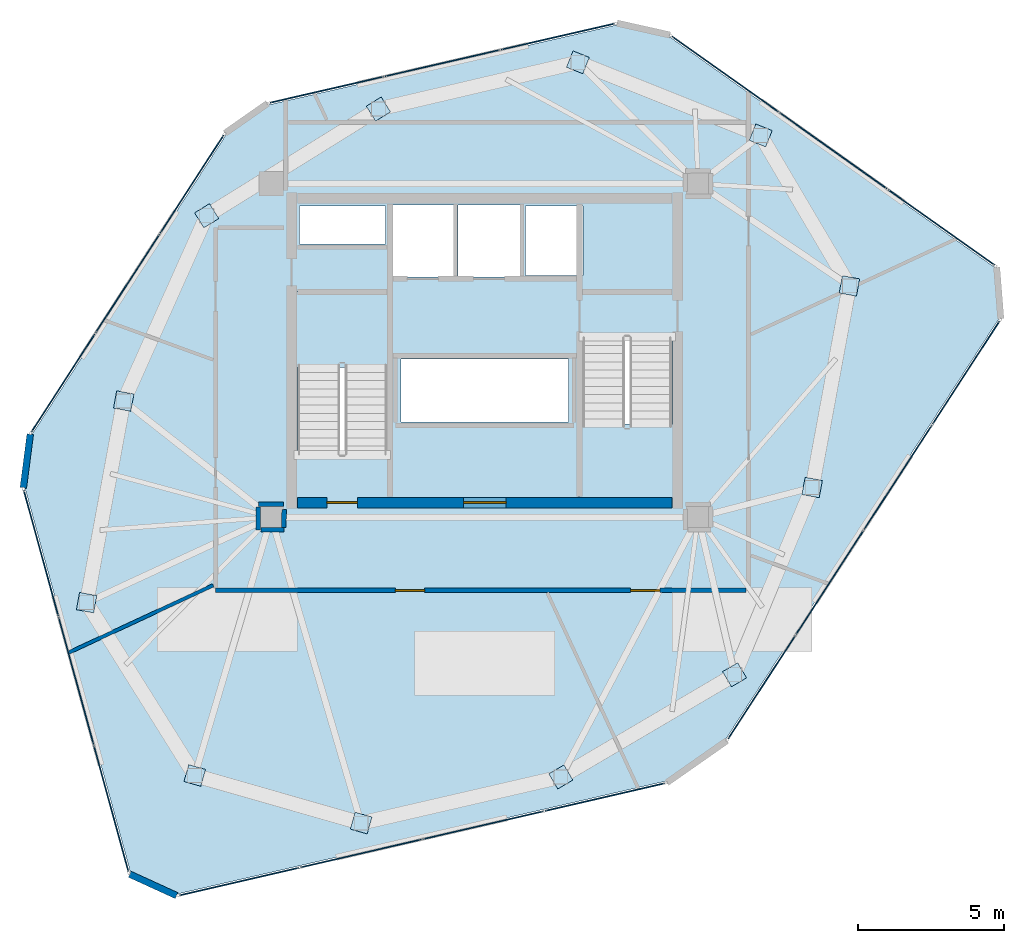
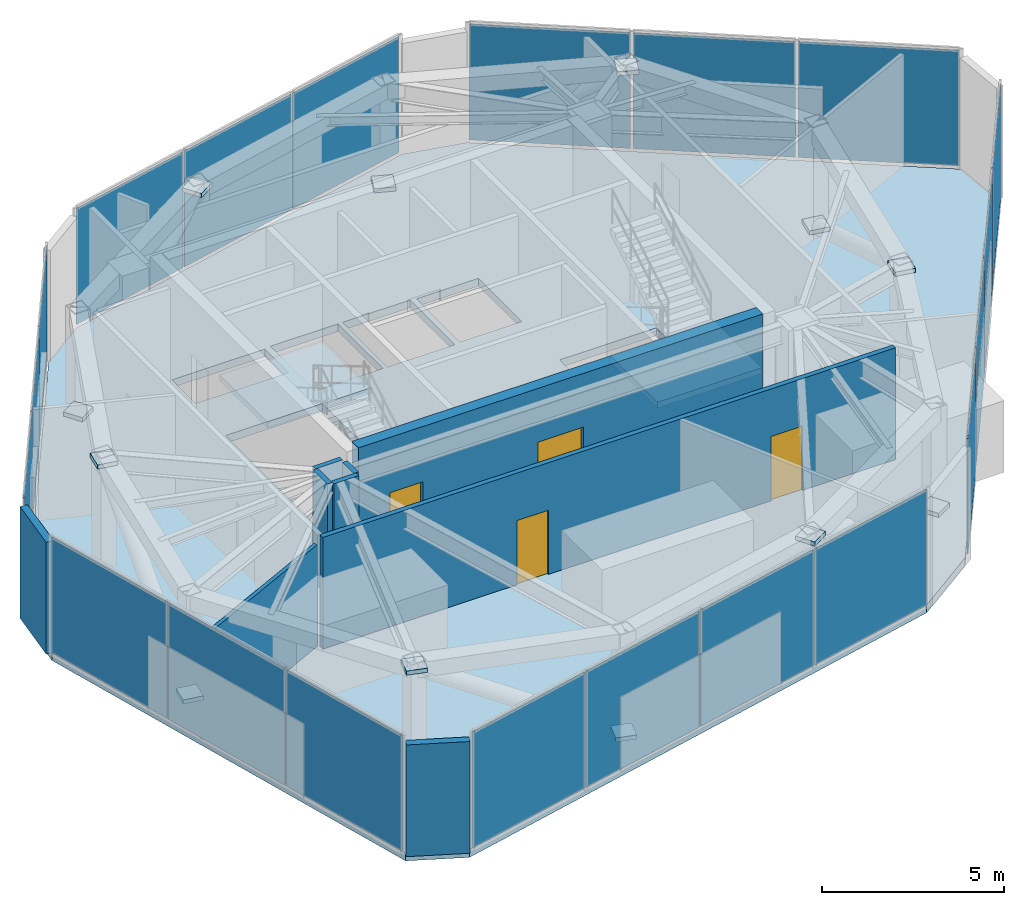
# One storey, part 17 of 21: 32 plates, 9 walls, 4 doors, 3 slabs, 4 openings, 8 elements without a shape of their own.
"""IFC4 building model written with IfcOpenShell, lengths in metres."""

from ifc_helpers import new_model, si_unit, direction, frame, frame_2d, origin, origin_2d, place, context, subcontext, project, spatial, polyline, rectangle, outline, extrude, source, transform, mapped, material, layer, layer_set, type_object, type_shapes, element, fill, aggregate, save


model = new_model("IFC4")

# Units and contexts
model_context = context("Model", 3, precision=1e-05, world=origin(), true_north=direction((0.0, 1.0)))
body_context = subcontext(model_context, "Body", "Model", "MODEL_VIEW")
ifc_project = project(units=[si_unit("LENGTHUNIT", "METRE"), si_unit("AREAUNIT", "SQUARE_METRE"), si_unit("VOLUMEUNIT", "CUBIC_METRE"), si_unit("PLANEANGLEUNIT", "RADIAN"), si_unit("MASSUNIT", "GRAM", prefix="KILO")], contexts=[model_context])

# Site, building, storey
site_placement = place(None, origin())
site = spatial("IfcSite", under=ifc_project, at=site_placement, CompositionType="ELEMENT")
building_placement = place(site_placement, origin())
building = spatial("IfcBuilding", under=site, at=building_placement, Name="Talar Marvaseh", CompositionType="ELEMENT")
storey_placement = place(building_placement, frame((0.0, 0.0, 308.0)))
storey = spatial("IfcBuildingStorey", under=building, at=storey_placement, Name="L82", CompositionType="ELEMENT", Elevation=308.0)

# Stair, slab
ifc_material_1 = material(Name="Concrete C40/50", Category="concrete")
stair_type = type_object("IfcStairType", Name="Reinforced Concrete High-Rise Exit Stair Type C", PredefinedType="HALF_TURN_STAIR", material=ifc_material_1)
stair_1_placement = place(storey_placement, origin())
stair_1 = element("IfcStair", 1, at=stair_1_placement, inside=storey, type_object=stair_type, Name="L82 Tower West Core Exit Stair", PredefinedType="HALF_TURN_STAIR")
ifc_layer_1 = layer(ifc_material_1, 0.199951171875)
ifc_layer_set_1 = layer_set([ifc_layer_1], Name="Concrete C40/50")
slab_type_1 = type_object("IfcSlabType", Name="Reinforced Concrete Stair Half-Landing Slab 200", PredefinedType="LANDING", material=ifc_layer_set_1)
slab_1_placement = place(storey_placement, frame((0.0, 0.0, 1.800048828125)))
slab_1 = element("IfcSlab", 2, at=slab_1_placement, type_object=slab_type_1, Name="ST-1 landing 1", PredefinedType="LANDING", context=body_context, shape_type="SweptSolid", body=[
    extrude(outline(polyline([(22.780029296875, 30.610107421875), (22.780029296875, 33.219970703125), (19.47998046875, 33.219970703125), (19.47998046875, 30.610107421875), (22.780029296875, 30.610107421875)])), origin(), (0.0, 0.0, 1.0), 0.199951171875),
])
aggregate(stair_1, [slab_1])

stair_2_placement = place(storey_placement, origin())
stair_2 = element("IfcStair", 3, at=stair_2_placement, inside=storey, type_object=stair_type, Name="L82 Tower East Core Exit Stair", PredefinedType="HALF_TURN_STAIR")
slab_2_placement = place(storey_placement, frame((0.0, 0.0, 1.800048828125)))
slab_2 = element("IfcSlab", 4, at=slab_2_placement, type_object=slab_type_1, Name="ST-2 landing 1", PredefinedType="LANDING", context=body_context, shape_type="SweptSolid", body=[
    extrude(outline(polyline([(29.219970703125, 28.68994140625), (29.219970703125, 26.080078125), (32.52001953125, 26.080078125), (32.52001953125, 28.68994140625), (29.219970703125, 28.68994140625)])), origin(), (0.0, 0.0, 1.0), 0.199951171875),
])
aggregate(stair_2, [slab_2])

# Slab
ifc_layer_2 = layer(ifc_material_1, 0.260009765625)
ifc_layer_set_2 = layer_set([ifc_layer_2], Name="Concrete C40/50")
slab_type_2 = type_object("IfcSlabType", Name="Structural Suspended Floor Slab 260", PredefinedType="FLOOR", material=ifc_layer_set_2)
slab_3_placement = place(storey_placement, frame((0.0, 0.0, -0.260009765625)))
element("IfcSlab", 5, at=slab_3_placement, inside=storey, type_object=slab_type_2, Name="L82 Tower Floor Slab", PredefinedType="FLOOR", context=body_context, shape_type="SweptSolid", body=[
    extrude(outline(polyline([(15.48974609375, 12.6123046875), (13.890869140625, 13.343505859375), (10.282470703125, 26.491943359375), (10.520751953125, 28.3330078125), (17.156494140625, 38.57763671875), (18.614990234375, 39.59912109375), (30.511474609375, 42.33056640625), (32.322998046875, 41.9248046875), (43.4443359375, 34.037109375), (43.584716796875, 32.28466796875), (34.244384765625, 17.906982421875), (32.194580078125, 16.4716796875), (15.48974609375, 12.6123046875)]), holes=[polyline([(22.659912109375, 27.64990234375), (22.659912109375, 33.10009765625), (19.60009765625, 33.10009765625), (19.60009765625, 27.64990234375), (22.659912109375, 27.64990234375)]), polyline([(29.340087890625, 31.64990234375), (29.340087890625, 26.199951171875), (32.39990234375, 26.199951171875), (32.39990234375, 31.64990234375), (29.340087890625, 31.64990234375)]), polyline([(22.800048828125, 33.719970703125), (24.93994140625, 33.719970703125), (24.93994140625, 36.179931640625), (22.800048828125, 36.179931640625), (22.800048828125, 33.719970703125)]), polyline([(25.080078125, 33.719970703125), (27.219970703125, 33.719970703125), (27.219970703125, 36.179931640625), (25.080078125, 36.179931640625), (25.080078125, 33.719970703125)]), polyline([(19.659912109375, 34.840087890625), (22.60009765625, 34.840087890625), (22.60009765625, 36.139892578125), (19.659912109375, 36.139892578125), (19.659912109375, 34.840087890625)]), polyline([(27.39990234375, 33.760009765625), (29.360107421875, 33.760009765625), (29.360107421875, 36.139892578125), (27.39990234375, 36.139892578125), (27.39990234375, 33.760009765625)]), polyline([(23.139892578125, 28.760009765625), (28.860107421875, 28.760009765625), (28.860107421875, 30.89990234375), (23.139892578125, 30.89990234375), (23.139892578125, 28.760009765625)])]), origin(), (0.0, 0.0, 1.0), 0.260009765625),
])

# Plates
ifc_material_2 = material(Name="Steel S460", Category="steel")
ifc_layer_3 = layer(ifc_material_2, 0.030029296875)
ifc_layer_set_3 = layer_set([ifc_layer_3], Name="Steel S460")
plate_type_1 = type_object("IfcPlateType", Name="Heavy Box End Closure Cap Plate 30", PredefinedType="USERDEFINED", material=ifc_layer_set_3)
shared_shape_1 = source(origin(), body_context, "Body", "SweptSolid", [
    extrude(rectangle(XDim=0.60009765625, YDim=0.60009765625, at=origin_2d()), origin(), (0.0, 0.0, 1.0), 0.139892578125),
])
type_shapes(plate_type_1, [shared_shape_1])
for number, where, z_axis, x_axis, name in (
    (6, (12.388916015625, 22.576904296875, 0.18017578125), (0.0, 0.0, 1.0), (0.180519145251, 0.983571470813, 0.0), "L82 Hollow Member End Cap Plate"),
    (7, (13.657958984375, 29.469970703125, 3.419921875), (0.0, 0.0, 1.0), (0.180519145251, 0.983571470813, 0.0), "L82 Hollow Member End Cap Plate"),
    (8, (16.493896484375, 35.806884765625, 0.18017578125), (0.0, 0.0, 1.0), (0.849892692987, 0.526955795497, 0.0), "L82 Hollow Member End Cap Plate"),
    (9, (22.364990234375, 39.4541015625, 3.419921875), (0.0, 0.0, 1.0), (0.849892692987, 0.526955795497, 0.0), "L82 Hollow Member End Cap Plate"),
    (10, (29.18798828125, 41.052001953125, 0.18017578125), (0.0, 0.0, 1.0), (0.928485826881, -0.37136783555, 0.0), "L82 Hollow Member End Cap Plate"),
    (11, (35.43798828125, 38.551025390625, 3.419921875), (0.0, 0.0, 1.0), (0.928485826881, -0.37136783555, 0.0), "L82 Hollow Member End Cap Plate"),
    (12, (38.470947265625, 33.406005859375, 0.18017578125), (0.0, 0.0, 1.0), (-0.182235525492, -0.983254907564, 0.0), "L82 Hollow Member End Cap Plate"),
    (13, (37.197021484375, 26.513916015625, 3.419921875), (0.0, 0.0, 1.0), (-0.182235525492, -0.983254907564, 0.0), "L82 Hollow Member End Cap Plate"),
    (14, (34.5439453125, 20.111083984375, 0.18017578125), (0.0, 0.0, 1.0), (-0.861629160442, -0.507538362961, 0.0), "L82 Hollow Member End Cap Plate"),
    (15, (28.60498046875, 16.616943359375, 3.419921875), (0.0, 0.0, 1.0), (-0.861629160442, -0.507538362961, 0.0), "L82 Hollow Member End Cap Plate"),
    (16, (21.77587890625, 15.0400390625, 0.18017578125), (0.0, 0.0, 1.0), (-0.961261695938, 0.275637355817, 0.0), "L82 Hollow Member End Cap Plate"),
    (17, (16.0869140625, 16.66796875, 3.419921875), (0.0, 0.0, 1.0), (-0.961261695938, 0.275637355817, 0.0), "L82 Hollow Member End Cap Plate"),
):
    element("IfcPlate", number, at=place(storey_placement, frame(where, z_axis=z_axis, x_axis=x_axis)), inside=storey, type_object=plate_type_1, Name=name, ObjectType="CAP_PLATE", PredefinedType="USERDEFINED", context=body_context, shape_type="MappedRepresentation", body=[
        mapped(shared_shape_1, transform((0.0, 0.0, 0.0), x_axis=(1.0, 0.0, 0.0), y_axis=(0.0, 1.0, 0.0), z_axis=(0.0, 0.0, 1.0), scale=1.0)),
    ])

# Curtain wall, plate
ifc_material_3 = material(Name="Architectural Aluminium", Category="aluminium")
ifc_layer_4 = layer(ifc_material_3, 0.2099609375)
ifc_layer_set_4 = layer_set([ifc_layer_4], Name="Architectural Aluminium")
curtain_wall_type = type_object("IfcCurtainWallType", Name="Crown Plant Acoustic Spandrel Curtain Wall", PredefinedType="NOTDEFINED", material=ifc_layer_set_4)
curtain_wall_1_placement = place(storey_placement, origin())
curtain_wall_1 = element("IfcCurtainWall", 18, at=curtain_wall_1_placement, inside=storey, type_object=curtain_wall_type, Name="L82 Crown Plant Acoustic Spandrel Curtain Wall", PredefinedType="NOTDEFINED")
ifc_material_4 = material(Name="Spandrel Insulated Glass", Category="glass")
ifc_layer_5 = layer(ifc_material_4, 0.035888671875)
ifc_layer_set_5 = layer_set([ifc_layer_5], Name="Spandrel Insulated Glass")
plate_type_2 = type_object("IfcPlateType", Name="Insulated Back-Painted Spandrel Curtain Panel 36", PredefinedType="CURTAIN_PANEL", material=ifc_layer_set_5)
shared_shape_2 = source(origin(), body_context, "Body", "SweptSolid", [
    extrude(rectangle(XDim=4.47998046875, YDim=0.035888671875, at=origin_2d()), origin(), (0.0, 0.0, 1.0), 3.8701171875),
])
plate_1_placement = place(storey_placement, frame((12.02880859375, 19.90185546875, 0.06494140625), z_axis=(0.0, 0.0, 1.0), x_axis=(-0.264649312974, 0.964344721115, 0.0)))
plate_1 = element("IfcPlate", 19, at=plate_1_placement, type_object=plate_type_2, Name="CW-CRN panel 2.1", PredefinedType="CURTAIN_PANEL", context=body_context, shape_type="MappedRepresentation", body=[
    mapped(shared_shape_2, transform((0.0, 0.0, 0.0), x_axis=(1.0, 0.0, 0.0), y_axis=(0.0, 1.0, 0.0), z_axis=(0.0, 0.0, 1.0), scale=1.0)),
])

curtain_wall_2_placement = place(storey_placement, origin())
curtain_wall_2 = element("IfcCurtainWall", 20, at=curtain_wall_2_placement, inside=storey, type_object=curtain_wall_type, Name="L82 Crown Plant Acoustic Spandrel Curtain Wall", PredefinedType="NOTDEFINED")
plate_2_placement = place(storey_placement, frame((37.91845703125, 38.02978515625, 0.06494140625), z_axis=(0.0, 0.0, 1.0), x_axis=(0.815673489833, -0.578512539176, 0.0)))
plate_2 = element("IfcPlate", 21, at=plate_2_placement, type_object=plate_type_2, Name="CW-CRN panel 2.1", PredefinedType="CURTAIN_PANEL", context=body_context, shape_type="MappedRepresentation", body=[
    mapped(shared_shape_2, transform((0.0, 0.0, 0.0), x_axis=(1.0, 0.0, 0.0), y_axis=(0.0, 1.0, 0.0), z_axis=(0.0, 0.0, 1.0), scale=1.0)),
])

# Curtain wall, plates
curtain_wall_3_placement = place(storey_placement, origin())
curtain_wall_3 = element("IfcCurtainWall", 22, at=curtain_wall_3_placement, inside=storey, type_object=curtain_wall_type, Name="L82 Crown Plant Acoustic Spandrel Curtain Wall", PredefinedType="NOTDEFINED")
shared_shape_3 = source(origin(), body_context, "Body", "SweptSolid", [
    extrude(rectangle(XDim=3.97119140625, YDim=0.035888671875, at=origin_2d()), origin(), (0.0, 0.0, 1.0), 3.8701171875),
])
plate_3_placement = place(storey_placement, frame((11.585205078125, 30.086669921875, 0.06494140625), z_axis=(0.0, 0.0, 1.0), x_axis=(0.543646288387, 0.839314430427, 0.0)))
plate_3 = element("IfcPlate", 23, at=plate_3_placement, type_object=plate_type_2, Name="CW-CRN panel 1.1", PredefinedType="CURTAIN_PANEL", context=body_context, shape_type="MappedRepresentation", body=[
    mapped(shared_shape_3, transform((0.0, 0.0, 0.0), x_axis=(1.0, 0.0, 0.0), y_axis=(0.0, 1.0, 0.0), z_axis=(0.0, 0.0, 1.0), scale=1.0)),
])
plate_4_placement = place(storey_placement, frame((15.9912109375, 36.88916015625, 0.06494140625), z_axis=(0.0, 0.0, 1.0), x_axis=(0.543646288387, 0.839314430427, 0.0)))
plate_4 = element("IfcPlate", 24, at=plate_4_placement, type_object=plate_type_2, Name="CW-CRN panel 3.1", PredefinedType="CURTAIN_PANEL", context=body_context, shape_type="MappedRepresentation", body=[
    mapped(shared_shape_3, transform((0.0, 0.0, 0.0), x_axis=(1.0, 0.0, 0.0), y_axis=(0.0, 1.0, 0.0), z_axis=(0.0, 0.0, 1.0), scale=1.0)),
])

curtain_wall_4_placement = place(storey_placement, origin())
curtain_wall_4 = element("IfcCurtainWall", 25, at=curtain_wall_4_placement, inside=storey, type_object=curtain_wall_type, Name="L82 Crown Plant Acoustic Spandrel Curtain Wall", PredefinedType="NOTDEFINED")
plate_5_placement = place(storey_placement, frame((20.60009765625, 40.116455078125, 0.06494140625), z_axis=(0.0, 0.0, 1.0), x_axis=(0.974636944465, 0.223791926761, 0.0)))
plate_5 = element("IfcPlate", 26, at=plate_5_placement, type_object=plate_type_2, Name="CW-CRN panel 1.1", PredefinedType="CURTAIN_PANEL", context=body_context, shape_type="MappedRepresentation", body=[
    mapped(shared_shape_3, transform((0.0, 0.0, 0.0), x_axis=(1.0, 0.0, 0.0), y_axis=(0.0, 1.0, 0.0), z_axis=(0.0, 0.0, 1.0), scale=1.0)),
])
plate_6_placement = place(storey_placement, frame((28.49951171875, 41.93017578125, 0.06494140625), z_axis=(0.0, 0.0, 1.0), x_axis=(0.974636944465, 0.223791926761, 0.0)))
plate_6 = element("IfcPlate", 27, at=plate_6_placement, type_object=plate_type_2, Name="CW-CRN panel 3.1", PredefinedType="CURTAIN_PANEL", context=body_context, shape_type="MappedRepresentation", body=[
    mapped(shared_shape_3, transform((0.0, 0.0, 0.0), x_axis=(1.0, 0.0, 0.0), y_axis=(0.0, 1.0, 0.0), z_axis=(0.0, 0.0, 1.0), scale=1.0)),
])

# Plate
shared_shape_4 = source(origin(), body_context, "Body", "SweptSolid", [
    extrude(rectangle(XDim=4.003662109375, YDim=0.035888671875, at=origin_2d()), origin(), (0.0, 0.0, 1.0), 3.8701171875),
])
plate_7_placement = place(storey_placement, frame((13.788330078125, 33.488037109375, 0.06494140625), z_axis=(0.0, 0.0, 1.0), x_axis=(0.543646288387, 0.839314430427, 0.0)))
plate_7 = element("IfcPlate", 28, at=plate_7_placement, type_object=plate_type_2, Name="CW-CRN panel 2.1", PredefinedType="CURTAIN_PANEL", context=body_context, shape_type="MappedRepresentation", body=[
    mapped(shared_shape_4, transform((0.0, 0.0, 0.0), x_axis=(1.0, 0.0, 0.0), y_axis=(0.0, 1.0, 0.0), z_axis=(0.0, 0.0, 1.0), scale=1.0)),
])

aggregate(curtain_wall_3, [plate_3, plate_7, plate_4])

plate_8_placement = place(storey_placement, frame((24.5498046875, 41.023193359375, 0.06494140625), z_axis=(0.0, 0.0, 1.0), x_axis=(0.974636944465, 0.223791926761, 0.0)))
plate_8 = element("IfcPlate", 29, at=plate_8_placement, type_object=plate_type_2, Name="CW-CRN panel 2.1", PredefinedType="CURTAIN_PANEL", context=body_context, shape_type="MappedRepresentation", body=[
    mapped(shared_shape_4, transform((0.0, 0.0, 0.0), x_axis=(1.0, 0.0, 0.0), y_axis=(0.0, 1.0, 0.0), z_axis=(0.0, 0.0, 1.0), scale=1.0)),
])

aggregate(curtain_wall_4, [plate_5, plate_8, plate_6])

# Curtain wall, plates
curtain_wall_5_placement = place(storey_placement, origin())
curtain_wall_5 = element("IfcCurtainWall", 30, at=curtain_wall_5_placement, inside=storey, type_object=curtain_wall_type, Name="L82 Crown Plant Acoustic Spandrel Curtain Wall", PredefinedType="NOTDEFINED")
shared_shape_5 = source(origin(), body_context, "Body", "SweptSolid", [
    extrude(rectangle(XDim=4.188720703125, YDim=0.035888671875, at=origin_2d()), origin(), (0.0, 0.0, 1.0), 3.8701171875),
])
plate_9_placement = place(storey_placement, frame((42.45849609375, 30.441162109375, 0.06494140625), z_axis=(0.0, 0.0, 1.0), x_axis=(-0.544769379387, -0.838585906919, 0.0)))
plate_9 = element("IfcPlate", 31, at=plate_9_placement, type_object=plate_type_2, Name="CW-CRN panel 1.1", PredefinedType="CURTAIN_PANEL", context=body_context, shape_type="MappedRepresentation", body=[
    mapped(shared_shape_5, transform((0.0, 0.0, 0.0), x_axis=(1.0, 0.0, 0.0), y_axis=(0.0, 1.0, 0.0), z_axis=(0.0, 0.0, 1.0), scale=1.0)),
])
plate_10_placement = place(storey_placement, frame((35.47119140625, 19.68505859375, 0.06494140625), z_axis=(0.0, 0.0, 1.0), x_axis=(-0.544769379387, -0.838585906919, 0.0)))
plate_10 = element("IfcPlate", 32, at=plate_10_placement, type_object=plate_type_2, Name="CW-CRN panel 4.1", PredefinedType="CURTAIN_PANEL", context=body_context, shape_type="MappedRepresentation", body=[
    mapped(shared_shape_5, transform((0.0, 0.0, 0.0), x_axis=(1.0, 0.0, 0.0), y_axis=(0.0, 1.0, 0.0), z_axis=(0.0, 0.0, 1.0), scale=1.0)),
])

curtain_wall_6_placement = place(storey_placement, origin())
curtain_wall_6 = element("IfcCurtainWall", 33, at=curtain_wall_6_placement, inside=storey, type_object=curtain_wall_type, Name="L82 Crown Plant Acoustic Spandrel Curtain Wall", PredefinedType="NOTDEFINED")
plate_11_placement = place(storey_placement, frame((30.104248046875, 15.927001953125, 0.06494140625), z_axis=(0.0, 0.0, 1.0), x_axis=(-0.974334936397, -0.225103157943, 0.0)))
plate_11 = element("IfcPlate", 34, at=plate_11_placement, type_object=plate_type_2, Name="CW-CRN panel 1.1", PredefinedType="CURTAIN_PANEL", context=body_context, shape_type="MappedRepresentation", body=[
    mapped(shared_shape_5, transform((0.0, 0.0, 0.0), x_axis=(1.0, 0.0, 0.0), y_axis=(0.0, 1.0, 0.0), z_axis=(0.0, 0.0, 1.0), scale=1.0)),
])
plate_12_placement = place(storey_placement, frame((17.607177734375, 13.039794921875, 0.06494140625), z_axis=(0.0, 0.0, 1.0), x_axis=(-0.974334936397, -0.225103157943, 0.0)))
plate_12 = element("IfcPlate", 35, at=plate_12_placement, type_object=plate_type_2, Name="CW-CRN panel 4.1", PredefinedType="CURTAIN_PANEL", context=body_context, shape_type="MappedRepresentation", body=[
    mapped(shared_shape_5, transform((0.0, 0.0, 0.0), x_axis=(1.0, 0.0, 0.0), y_axis=(0.0, 1.0, 0.0), z_axis=(0.0, 0.0, 1.0), scale=1.0)),
])

# Plate
shared_shape_6 = source(origin(), body_context, "Body", "SweptSolid", [
    extrude(rectangle(XDim=4.22119140625, YDim=0.035888671875, at=origin_2d()), origin(), (0.0, 0.0, 1.0), 3.8701171875),
])
plate_13_placement = place(storey_placement, frame((40.13232421875, 26.8603515625, 0.06494140625), z_axis=(0.0, 0.0, 1.0), x_axis=(-0.544769379387, -0.838585906919, 0.0)))
plate_13 = element("IfcPlate", 36, at=plate_13_placement, type_object=plate_type_2, Name="CW-CRN panel 2.1", PredefinedType="CURTAIN_PANEL", context=body_context, shape_type="MappedRepresentation", body=[
    mapped(shared_shape_6, transform((0.0, 0.0, 0.0), x_axis=(1.0, 0.0, 0.0), y_axis=(0.0, 1.0, 0.0), z_axis=(0.0, 0.0, 1.0), scale=1.0)),
])

plate_14_placement = place(storey_placement, frame((37.79736328125, 23.265869140625, 0.06494140625), z_axis=(0.0, 0.0, 1.0), x_axis=(-0.544769379387, -0.838585906919, 0.0)))
plate_14 = element("IfcPlate", 37, at=plate_14_placement, type_object=plate_type_2, Name="CW-CRN panel 3.1", PredefinedType="CURTAIN_PANEL", context=body_context, shape_type="MappedRepresentation", body=[
    mapped(shared_shape_6, transform((0.0, 0.0, 0.0), x_axis=(1.0, 0.0, 0.0), y_axis=(0.0, 1.0, 0.0), z_axis=(0.0, 0.0, 1.0), scale=1.0)),
])

aggregate(curtain_wall_5, [plate_9, plate_13, plate_14, plate_10])

plate_15_placement = place(storey_placement, frame((25.94384765625, 14.9658203125, 0.06494140625), z_axis=(0.0, 0.0, 1.0), x_axis=(-0.974334936397, -0.225103157943, 0.0)))
plate_15 = element("IfcPlate", 38, at=plate_15_placement, type_object=plate_type_2, Name="CW-CRN panel 2.1", PredefinedType="CURTAIN_PANEL", context=body_context, shape_type="MappedRepresentation", body=[
    mapped(shared_shape_6, transform((0.0, 0.0, 0.0), x_axis=(1.0, 0.0, 0.0), y_axis=(0.0, 1.0, 0.0), z_axis=(0.0, 0.0, 1.0), scale=1.0)),
])

plate_16_placement = place(storey_placement, frame((21.767578125, 14.0009765625, 0.06494140625), z_axis=(0.0, 0.0, 1.0), x_axis=(-0.974334936397, -0.225103157943, 0.0)))
plate_16 = element("IfcPlate", 39, at=plate_16_placement, type_object=plate_type_2, Name="CW-CRN panel 3.1", PredefinedType="CURTAIN_PANEL", context=body_context, shape_type="MappedRepresentation", body=[
    mapped(shared_shape_6, transform((0.0, 0.0, 0.0), x_axis=(1.0, 0.0, 0.0), y_axis=(0.0, 1.0, 0.0), z_axis=(0.0, 0.0, 1.0), scale=1.0)),
])

aggregate(curtain_wall_6, [plate_11, plate_15, plate_16, plate_12])

shared_shape_7 = source(origin(), body_context, "Body", "SweptSolid", [
    extrude(rectangle(XDim=4.447265625, YDim=0.035888671875, at=origin_2d()), origin(), (0.0, 0.0, 1.0), 3.8701171875),
])
type_shapes(plate_type_2, [shared_shape_2, shared_shape_3, shared_shape_4, shared_shape_5, shared_shape_6, shared_shape_7])
plate_17_placement = place(storey_placement, frame((13.227294921875, 15.53466796875, 0.06494140625), z_axis=(0.0, 0.0, 1.0), x_axis=(-0.264649312974, 0.964344721115, 0.0)))
plate_17 = element("IfcPlate", 40, at=plate_17_placement, type_object=plate_type_2, Name="CW-CRN panel 1.1", PredefinedType="CURTAIN_PANEL", context=body_context, shape_type="MappedRepresentation", body=[
    mapped(shared_shape_7, transform((0.0, 0.0, 0.0), x_axis=(1.0, 0.0, 0.0), y_axis=(0.0, 1.0, 0.0), z_axis=(0.0, 0.0, 1.0), scale=1.0)),
])

plate_18_placement = place(storey_placement, frame((10.830322265625, 24.268798828125, 0.06494140625), z_axis=(0.0, 0.0, 1.0), x_axis=(-0.264649312974, 0.964344721115, 0.0)))
plate_18 = element("IfcPlate", 41, at=plate_18_placement, type_object=plate_type_2, Name="CW-CRN panel 3.1", PredefinedType="CURTAIN_PANEL", context=body_context, shape_type="MappedRepresentation", body=[
    mapped(shared_shape_7, transform((0.0, 0.0, 0.0), x_axis=(1.0, 0.0, 0.0), y_axis=(0.0, 1.0, 0.0), z_axis=(0.0, 0.0, 1.0), scale=1.0)),
])

aggregate(curtain_wall_1, [plate_17, plate_1, plate_18])

plate_19_placement = place(storey_placement, frame((34.224609375, 40.649658203125, 0.06494140625), z_axis=(0.0, 0.0, 1.0), x_axis=(0.815673489833, -0.578512539176, 0.0)))
plate_19 = element("IfcPlate", 42, at=plate_19_placement, type_object=plate_type_2, Name="CW-CRN panel 1.1", PredefinedType="CURTAIN_PANEL", context=body_context, shape_type="MappedRepresentation", body=[
    mapped(shared_shape_7, transform((0.0, 0.0, 0.0), x_axis=(1.0, 0.0, 0.0), y_axis=(0.0, 1.0, 0.0), z_axis=(0.0, 0.0, 1.0), scale=1.0)),
])

plate_20_placement = place(storey_placement, frame((41.6123046875, 35.409912109375, 0.06494140625), z_axis=(0.0, 0.0, 1.0), x_axis=(0.815673489833, -0.578512539176, 0.0)))
plate_20 = element("IfcPlate", 43, at=plate_20_placement, type_object=plate_type_2, Name="CW-CRN panel 3.1", PredefinedType="CURTAIN_PANEL", context=body_context, shape_type="MappedRepresentation", body=[
    mapped(shared_shape_7, transform((0.0, 0.0, 0.0), x_axis=(1.0, 0.0, 0.0), y_axis=(0.0, 1.0, 0.0), z_axis=(0.0, 0.0, 1.0), scale=1.0)),
])

aggregate(curtain_wall_2, [plate_19, plate_2, plate_20])

# Walls
ifc_material_5 = material(Name="Precast concrete C45/55", Category="concrete")
ifc_layer_6 = layer(ifc_material_5, 0.22509765625)
ifc_layer_set_6 = layer_set([ifc_layer_6], Name="Precast concrete C45/55")
wall_type_1 = type_object("IfcWallType", Name="Chamfered Hexagonal Corner Pier Wall Z4 225", PredefinedType="SOLIDWALL", material=ifc_layer_set_6)
wall_1_placement = place(storey_placement, frame((15.464599609375, 12.5576171875, 0.0), z_axis=(0.0, 0.0, 1.0), x_axis=(-0.909388933768, 0.415946832107, 0.0)))
element("IfcWall", 44, at=wall_1_placement, inside=storey, type_object=wall_type_1, Name="L82 Chamfered Corner Limestone Pier 1", PredefinedType="SOLIDWALL", context=body_context, shape_type="SweptSolid", body=[
    extrude(rectangle(XDim=1.7578125, YDim=0.22509765625, at=frame_2d((0.87890625, 0.0))), origin(), (0.0, 0.0, 1.0), 3.739990234375),
])
wall_2_placement = place(storey_placement, frame((10.222900390625, 26.49951171875, 0.0), z_axis=(0.0, 0.0, 1.0), x_axis=(0.128338490171, 0.991730423019, 0.0)))
element("IfcWall", 45, at=wall_2_placement, inside=storey, type_object=wall_type_1, Name="L82 Chamfered Corner Limestone Pier 2", PredefinedType="SOLIDWALL", context=body_context, shape_type="SweptSolid", body=[
    extrude(rectangle(XDim=1.856689453125, YDim=0.22509765625, at=frame_2d((0.92822265625, 0.0))), origin(), (0.0, 0.0, 1.0), 3.739990234375),
])

# Wall, openings, doors
ifc_material_6 = material(Name="Gypsum Board Partition Assembly")
ifc_layer_7 = layer(ifc_material_6, 0.155029296875)
ifc_layer_set_7 = layer_set([ifc_layer_7], Name="Gypsum Board Partition Assembly")
wall_type_2 = type_object("IfcWallType", Name="Corridor Fire-Rated Acoustic Partition 155", PredefinedType="PARTITIONING", material=ifc_layer_set_7)
wall_3_placement = place(storey_placement, frame((34.9365234375, 23.0, 0.0), z_axis=(0.0, 0.0, 1.0), x_axis=(-1.0, 0.0, 0.0)))
wall_3 = element("IfcWall", 46, at=wall_3_placement, inside=storey, type_object=wall_type_2, Name="L82 Interior Partition Wall", PredefinedType="PARTITIONING", context=body_context, shape_type="SweptSolid", body=[
    extrude(rectangle(XDim=18.136474609375, YDim=0.155029296875, at=frame_2d((9.068359375, 0.0))), origin(), (0.0, 0.0, 1.0), 3.739990234375),
])
opening_1_placement = place(wall_3_placement, frame((10.993896484375, 0.0, 0.0)))
opening_1 = element("IfcOpeningElement", 47, at=opening_1_placement, cuts=wall_3, Name="Opening DR-RM100", PredefinedType="OPENING", context=body_context, shape_type="SweptSolid", body=[
    extrude(rectangle(XDim=1.0, YDim=2.14990234375, at=frame_2d((0.5, 1.074951171875))), frame((0.0, 0.08740234375, 0.0), z_axis=(0.0, -1.0, 0.0), x_axis=(1.0, 0.0, 0.0)), (0.0, 0.0, 1.0), 0.175048828125),
])
opening_2_placement = place(wall_3_placement, frame((2.947265625, 0.0, 0.0)))
opening_2 = element("IfcOpeningElement", 48, at=opening_2_placement, cuts=wall_3, Name="Opening DR-RM100", PredefinedType="OPENING", context=body_context, shape_type="SweptSolid", body=[
    extrude(rectangle(XDim=1.0, YDim=2.14990234375, at=frame_2d((0.5, 1.074951171875))), frame((0.0, 0.08740234375, 0.0), z_axis=(0.0, -1.0, 0.0), x_axis=(1.0, 0.0, 0.0)), (0.0, 0.0, 1.0), 0.175048828125),
])
ifc_material_7 = material(Name="Acoustic Engineered Oak Timber", Category="wood")
door_type_1 = type_object("IfcDoorType", Name="Corridor Fire-Rated Gallery Door 1000x2150", OperationType="NOTDEFINED", PredefinedType="DOOR", material=ifc_material_7)
shared_shape_8 = source(origin(), body_context, "Body", "SweptSolid", [
    extrude(rectangle(XDim=1.0, YDim=2.14990234375, at=frame_2d((0.5, 1.074951171875))), frame((0.0, 0.02490234375, 0.0), z_axis=(0.0, -1.0, 0.0), x_axis=(1.0, 0.0, 0.0)), (0.0, 0.0, 1.0), 0.050048828125),
])
type_shapes(door_type_1, [shared_shape_8])
door_1_placement = place(opening_1_placement, origin())
door_1 = element("IfcDoor", 49, at=door_1_placement, inside=storey, type_object=door_type_1, Name="L82 AHU Ventilation Plant Room Door", OperationType="SINGLE_SWING_RIGHT", OverallHeight=2.14990234375, OverallWidth=1.0, PredefinedType="DOOR", context=body_context, shape_type="MappedRepresentation", body=[
    mapped(shared_shape_8, transform((0.0, 0.0, 0.0), x_axis=(1.0, 0.0, 0.0), y_axis=(0.0, 1.0, 0.0), z_axis=(0.0, 0.0, 1.0), scale=1.0)),
])
fill(opening_1, door_1)
door_2_placement = place(opening_2_placement, origin())
door_2 = element("IfcDoor", 50, at=door_2_placement, inside=storey, type_object=door_type_1, Name="L82 Fire and Domestic Water Pump Plant Room Door", OperationType="SINGLE_SWING_LEFT", OverallHeight=2.14990234375, OverallWidth=1.0, PredefinedType="DOOR", context=body_context, shape_type="MappedRepresentation", body=[
    mapped(shared_shape_8, transform((0.0, 0.0, 0.0), x_axis=(1.0, 0.0, 0.0), y_axis=(0.0, 1.0, 0.0), z_axis=(0.0, 0.0, 1.0), scale=1.0)),
])
fill(opening_2, door_2)

# Walls
wall_4_placement = place(storey_placement, frame((19.125, 25.93994140625, 0.0), z_axis=(0.0, 0.0, 1.0), x_axis=(-0.999986962681, -0.005106316405, 0.0)))
element("IfcWall", 51, at=wall_4_placement, inside=storey, type_object=wall_type_2, Name="L82 Interior Partition Wall", PredefinedType="PARTITIONING", context=body_context, shape_type="SweptSolid", body=[
    extrude(rectangle(XDim=0.860595703125, YDim=0.155029296875, at=frame_2d((0.43017578125, 0.0))), origin(), (0.0, 0.0, 1.0), 3.739990234375),
])
for number, where, z_axis, x_axis, name in (
    (52, (18.264404296875, 25.85205078125, 0.0), (0.0, 0.0, 1.0), (0.0, -1.0, 0.0), "L82 Interior Partition Wall"),
    (53, (18.347900390625, 25.064453125, 0.0), (0.0, 0.0, 1.0), (1.0, 0.0, 0.0), "L82 Interior Partition Wall"),
):
    element("IfcWall", number, at=place(storey_placement, frame(where, z_axis=z_axis, x_axis=x_axis)), inside=storey, type_object=wall_type_2, Name=name, PredefinedType="PARTITIONING", context=body_context, shape_type="SweptSolid", body=[
        extrude(rectangle(XDim=0.78759765625, YDim=0.155029296875, at=frame_2d((0.393798828125, 0.0))), origin(), (0.0, 0.0, 1.0), 3.739990234375),
    ])
wall_5_placement = place(storey_placement, frame((19.135986328125, 25.14794921875, 0.0), z_axis=(0.0, 0.0, 1.0), x_axis=(0.005140303777, 0.999986788551, 0.0)))
element("IfcWall", 54, at=wall_5_placement, inside=storey, type_object=wall_type_2, Name="L82 Interior Partition Wall", PredefinedType="PARTITIONING", context=body_context, shape_type="SweptSolid", body=[
    extrude(rectangle(XDim=0.617431640625, YDim=0.155029296875, at=frame_2d((0.30859375, 0.0))), origin(), (0.0, 0.0, 1.0), 3.739990234375),
])
ifc_layer_8 = layer(ifc_material_6, 0.1201171875)
ifc_layer_set_8 = layer_set([ifc_layer_8], Name="Gypsum Board Partition Assembly")
wall_type_3 = type_object("IfcWallType", Name="Demountable Studio Room Partition 120", PredefinedType="PARTITIONING", material=ifc_layer_set_8)
wall_6_placement = place(storey_placement, frame((16.716552734375, 23.1708984375, 0.0), z_axis=(0.0, 0.0, 1.0), x_axis=(-0.906433030446, -0.422349572411, 0.0)))
element("IfcWall", 55, at=wall_6_placement, inside=storey, type_object=wall_type_3, Name="L82 Interior Partition Wall", PredefinedType="PARTITIONING", context=body_context, shape_type="SweptSolid", body=[
    extrude(rectangle(XDim=5.437744140625, YDim=0.1201171875, at=frame_2d((2.71875, 0.0))), origin(), (0.0, 0.0, 1.0), 3.402099609375),
])

# Wall, openings, doors
ifc_material_8 = material(Name="Concrete C50/60", Category="concrete")
ifc_layer_9 = layer(ifc_material_8, 0.360107421875)
ifc_layer_set_9 = layer_set([ifc_layer_9], Name="Concrete C50/60")
wall_type_4 = type_object("IfcWallType", Name="Upper Core Reinforced Concrete Shear Wall 360", PredefinedType="SHEAR", material=ifc_layer_set_9)
wall_7_placement = place(storey_placement, frame((32.39990234375, 26.0, 0.0), z_axis=(0.0, 0.0, 1.0), x_axis=(-1.0, 0.0, 0.0)))
wall_7 = element("IfcWall", 56, at=wall_7_placement, inside=storey, type_object=wall_type_4, Name="L82 South Core Shear Wall", PredefinedType="SHEAR", context=body_context, shape_type="SweptSolid", body=[
    extrude(rectangle(XDim=12.7998046875, YDim=0.360107421875, at=frame_2d((6.39990234375, 0.0))), origin(), (0.0, 0.0, 1.0), 4.0),
])
opening_3_placement = place(wall_7_placement, frame((10.75, 0.0, 0.0)))
opening_3 = element("IfcOpeningElement", 57, at=opening_3_placement, cuts=wall_7, Name="Opening DR-ST105", PredefinedType="OPENING", context=body_context, shape_type="SweptSolid", body=[
    extrude(rectangle(XDim=1.050048828125, YDim=2.14990234375, at=frame_2d((0.52490234375, 1.074951171875))), frame((0.0, 0.18994140625, 0.0), z_axis=(0.0, -1.0, 0.0), x_axis=(1.0, 0.0, 0.0)), (0.0, 0.0, 1.0), 0.380126953125),
])
opening_4_placement = place(wall_7_placement, frame((5.669921875, 0.0, 0.0)))
opening_4 = element("IfcOpeningElement", 58, at=opening_4_placement, cuts=wall_7, Name="Opening DR-LBY145", PredefinedType="OPENING", context=body_context, shape_type="SweptSolid", body=[
    extrude(rectangle(XDim=1.449951171875, YDim=2.199951171875, at=frame_2d((0.72509765625, 1.10009765625))), frame((0.0, 0.18994140625, 0.0), z_axis=(0.0, -1.0, 0.0), x_axis=(1.0, 0.0, 0.0)), (0.0, 0.0, 1.0), 0.380126953125),
])
ifc_material_9 = material(Name="Fire-Rated Steel Door Leaf", Category="steel")
door_type_2 = type_object("IfcDoorType", Name="Protected Exit Stair Fire Door 1050x2150", OperationType="NOTDEFINED", PredefinedType="DOOR", material=ifc_material_9)
shared_shape_9 = source(origin(), body_context, "Body", "SweptSolid", [
    extrude(rectangle(XDim=1.050048828125, YDim=2.14990234375, at=frame_2d((0.52490234375, 1.074951171875))), frame((0.0, 0.02490234375, 0.0), z_axis=(0.0, -1.0, 0.0), x_axis=(1.0, 0.0, 0.0)), (0.0, 0.0, 1.0), 0.050048828125),
])
type_shapes(door_type_2, [shared_shape_9])
door_3_placement = place(opening_3_placement, origin())
door_3 = element("IfcDoor", 59, at=door_3_placement, inside=storey, type_object=door_type_2, Name="L82 Stair ST-1 Exit Door", OperationType="SINGLE_SWING_RIGHT", OverallHeight=2.14990234375, OverallWidth=1.050048828125, PredefinedType="DOOR", context=body_context, shape_type="MappedRepresentation", body=[
    mapped(shared_shape_9, transform((0.0, 0.0, 0.0), x_axis=(1.0, 0.0, 0.0), y_axis=(0.0, 1.0, 0.0), z_axis=(0.0, 0.0, 1.0), scale=1.0)),
])
fill(opening_3, door_3)
door_type_3 = type_object("IfcDoorType", Name="Core Lift Lobby Double Smoke Door 1450x2200", OperationType="NOTDEFINED", PredefinedType="DOOR", material=ifc_material_9)
shared_shape_10 = source(origin(), body_context, "Body", "SweptSolid", [
    extrude(rectangle(XDim=1.449951171875, YDim=2.199951171875, at=frame_2d((0.72509765625, 1.10009765625))), frame((0.0, 0.02490234375, 0.0), z_axis=(0.0, -1.0, 0.0), x_axis=(1.0, 0.0, 0.0)), (0.0, 0.0, 1.0), 0.050048828125),
])
type_shapes(door_type_3, [shared_shape_10])
door_4_placement = place(opening_4_placement, origin())
door_4 = element("IfcDoor", 60, at=door_4_placement, inside=storey, type_object=door_type_3, Name="L82 Passenger Lift Lobby Entrance Door", OperationType="DOUBLE_DOOR_SINGLE_SWING", OverallHeight=2.199951171875, OverallWidth=1.449951171875, PredefinedType="DOOR", context=body_context, shape_type="MappedRepresentation", body=[
    mapped(shared_shape_10, transform((0.0, 0.0, 0.0), x_axis=(1.0, 0.0, 0.0), y_axis=(0.0, 1.0, 0.0), z_axis=(0.0, 0.0, 1.0), scale=1.0)),
])
fill(opening_4, door_4)

save(model, "model.ifc")
